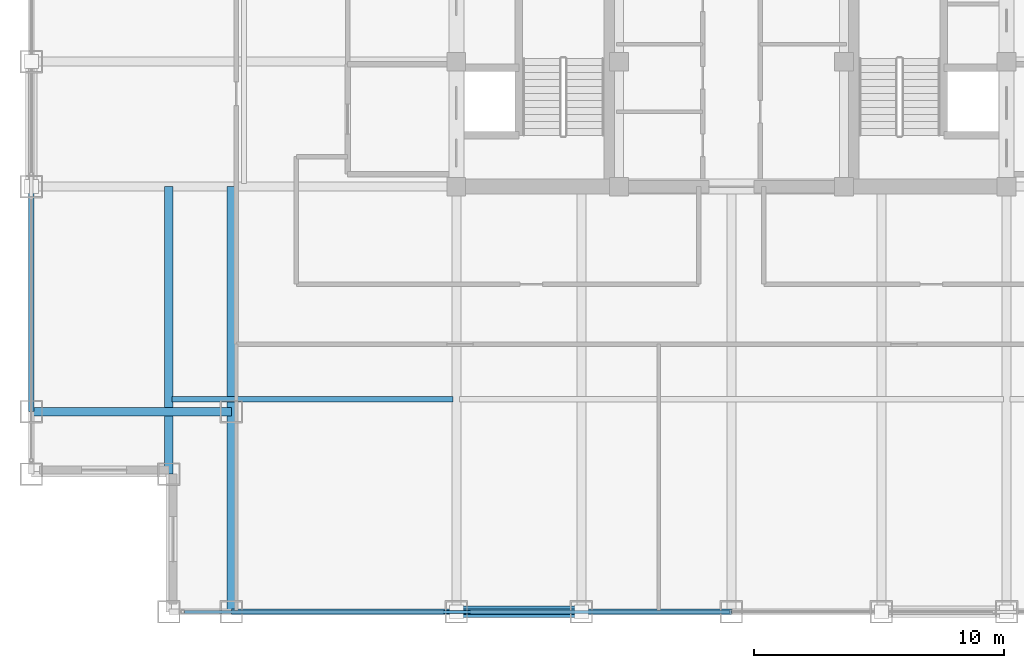
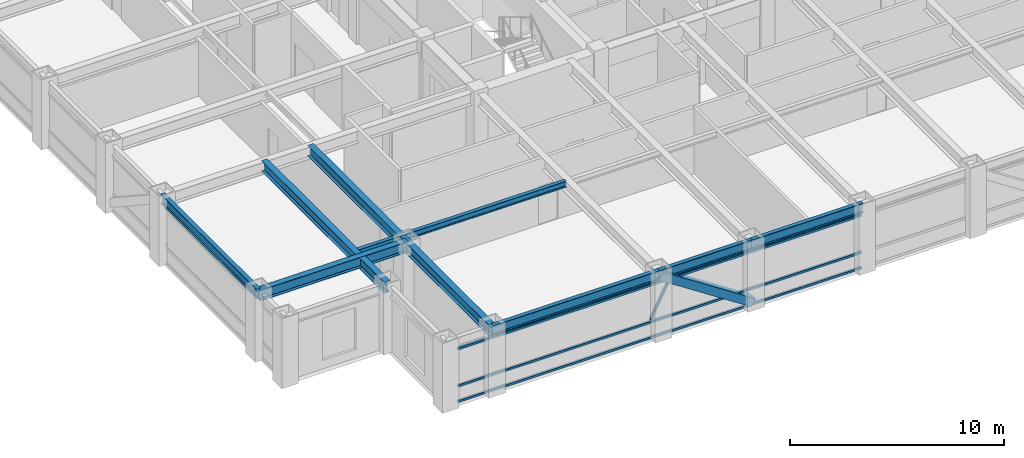
# One storey, part 3 of 22: 8 beams, 5 members, 1 element without a shape of its own.
"""IFC4 building model written with IfcOpenShell, lengths in metres."""

from ifc_helpers import new_model, si_unit, direction, frame, origin, origin_2d, place, context, subcontext, project, spatial, hollow_rectangle, i_section, extrude, source, transform, mapped, material, material_profile, profile_set, type_object, element, aggregate, save


model = new_model("IFC4")

# Units and contexts
model_context = context("Model", 3, precision=1e-05, world=origin(), true_north=direction((0.0, 1.0)))
body_context = subcontext(model_context, "Body", "Model", "MODEL_VIEW")
ifc_project = project(units=[si_unit("LENGTHUNIT", "METRE"), si_unit("AREAUNIT", "SQUARE_METRE"), si_unit("VOLUMEUNIT", "CUBIC_METRE"), si_unit("PLANEANGLEUNIT", "RADIAN"), si_unit("MASSUNIT", "GRAM", prefix="KILO")], contexts=[model_context])

# Site, building, storey
site_placement = place(None, origin())
site = spatial("IfcSite", under=ifc_project, at=site_placement, CompositionType="ELEMENT")
building_placement = place(site_placement, origin())
building = spatial("IfcBuilding", under=site, at=building_placement, Name="Khorayat Bourse Tower", CompositionType="ELEMENT")
storey_placement = place(building_placement, frame((0.0, 0.0, 305.5)))
storey = spatial("IfcBuildingStorey", under=building, at=storey_placement, Name="L72", CompositionType="ELEMENT", Elevation=305.5)

# Beam
ifc_material_1 = material(Name="Steel ASTM A992 Grade 50", Category="steel")
ifc_material_profile_1 = material_profile(ifc_material_1, i_section(OverallWidth=0.324951171875, OverallDepth=0.615966796875, WebThickness=0.013916015625, FlangeThickness=0.021484375, FilletRadius=0.01611328125, at=origin_2d()), Name="W610X174")
ifc_profile_set_1 = profile_set([ifc_material_profile_1], Name="Steel ASTM A992 Grade 50")
beam_type_1 = type_object("IfcBeamType", Name="BM-GIRD-610", PredefinedType="BEAM", material=ifc_profile_set_1)
shared_shape_1 = source(origin(), body_context, "Body", "SweptSolid", [
    extrude(i_section(OverallWidth=0.324951171875, OverallDepth=0.615966796875, WebThickness=0.013916015625, FlangeThickness=0.021484375, FilletRadius=0.01611328125, at=origin_2d()), origin(), (0.0, 0.0, 1.0), 17.0),
])
beam_1_placement = place(storey_placement, frame((-20.0, -28.0, 3.471923828125), z_axis=(0.0, 1.0, 0.0), x_axis=(-1.0, 0.0, 0.0)))
element("IfcBeam", 1, at=beam_1_placement, inside=storey, type_object=beam_type_1, Name="L72 BM-GIRD-610 BM-L72-CNRY-084", PredefinedType="BEAM", context=body_context, shape_type="MappedRepresentation", body=[
    mapped(shared_shape_1, transform((0.0, 0.0, 0.0), scale=1.0)),
])

# Member
ifc_material_2 = material(Name="Steel EN 10025-4 S460M", Category="steel")
ifc_material_profile_2 = material_profile(ifc_material_2, hollow_rectangle(XDim=0.449951171875, YDim=0.449951171875, WallThickness=0.02490234375, at=origin_2d()), Name="HSS 450x450x25")
ifc_profile_set_2 = profile_set([ifc_material_profile_2], Name="Steel EN 10025-4 S460M")
member_type_1 = type_object("IfcMemberType", Name="MBR-TUBE-450", PredefinedType="BRACE", material=ifc_profile_set_2)
shared_shape_2 = source(origin(), body_context, "Body", "SweptSolid", [
    extrude(hollow_rectangle(XDim=0.449951171875, YDim=0.449951171875, WallThickness=0.02490234375, at=origin_2d()), origin(), (0.0, 0.0, 1.0), 5.979736328125),
])
member_1_placement = place(storey_placement, frame((-11.0, -28.0, 3.530029296875), z_axis=(0.836141536525, 0.0, -0.548513747227), x_axis=(0.0, 1.0, 0.0)))
element("IfcMember", 2, at=member_1_placement, inside=storey, type_object=member_type_1, Name="L72 Perimeter Tube Brace 01", PredefinedType="BRACE", context=body_context, shape_type="MappedRepresentation", body=[
    mapped(shared_shape_2, transform((0.0, 0.0, 0.0), scale=1.0)),
])

# Beams
shared_shape_3 = source(origin(), body_context, "Body", "SweptSolid", [
    extrude(i_section(OverallWidth=0.324951171875, OverallDepth=0.615966796875, WebThickness=0.013916015625, FlangeThickness=0.021484375, FilletRadius=0.01611328125, at=origin_2d()), origin(), (0.0, 0.0, 1.0), 11.5),
])
beam_2_placement = place(storey_placement, frame((-22.5, -22.5, 3.471923828125), z_axis=(0.0, 1.0, 0.0), x_axis=(-1.0, 0.0, 0.0)))
element("IfcBeam", 3, at=beam_2_placement, inside=storey, type_object=beam_type_1, Name="L72 BM-GIRD-610 BM-L72-CNRY-088", PredefinedType="BEAM", context=body_context, shape_type="MappedRepresentation", body=[
    mapped(shared_shape_3, transform((0.0, 0.0, 0.0), scale=1.0)),
])
shared_shape_4 = source(origin(), body_context, "Body", "SweptSolid", [
    extrude(i_section(OverallWidth=0.324951171875, OverallDepth=0.615966796875, WebThickness=0.013916015625, FlangeThickness=0.021484375, FilletRadius=0.01611328125, at=origin_2d()), origin(), (0.0, 0.0, 1.0), 8.0),
])
beam_3_placement = place(storey_placement, frame((-28.0, -20.0, 3.471923828125), z_axis=(1.0, 0.0, 0.0), x_axis=(0.0, 1.0, 0.0)))
element("IfcBeam", 4, at=beam_3_placement, inside=storey, type_object=beam_type_1, Name="L72 BM-GIRD-610 BM-L72-CNRX-093", PredefinedType="BEAM", context=body_context, shape_type="MappedRepresentation", body=[
    mapped(shared_shape_4, transform((0.0, 0.0, 0.0), scale=1.0)),
])
ifc_material_profile_3 = material_profile(ifc_material_1, i_section(OverallWidth=0.202880859375, OverallDepth=0.346923828125, WebThickness=0.0078125, FlangeThickness=0.013427734375, FilletRadius=0.010009765625, at=origin_2d()), Name="W360X64")
ifc_profile_set_3 = profile_set([ifc_material_profile_3], Name="Steel ASTM A992 Grade 50")
beam_type_2 = type_object("IfcBeamType", Name="BM-JOIST-360", PredefinedType="JOIST", material=ifc_profile_set_3)
shared_shape_5 = source(origin(), body_context, "Body", "SweptSolid", [
    extrude(i_section(OverallWidth=0.202880859375, OverallDepth=0.346923828125, WebThickness=0.0078125, FlangeThickness=0.013427734375, FilletRadius=0.010009765625, at=origin_2d()), origin(), (0.0, 0.0, 1.0), 11.240234375),
])
beam_4_placement = place(storey_placement, frame((-22.3701171875, -19.5, 3.6064453125), z_axis=(1.0, 0.0, 0.0), x_axis=(0.0, 1.0, 0.0)))
element("IfcBeam", 5, at=beam_4_placement, inside=storey, type_object=beam_type_2, Name="L72 BM-JOIST-360 BM-L72-JSTX-096", PredefinedType="JOIST", context=body_context, shape_type="MappedRepresentation", body=[
    mapped(shared_shape_5, transform((0.0, 0.0, 0.0), scale=1.0)),
])
ifc_material_profile_4 = material_profile(ifc_material_1, i_section(OverallWidth=0.214111328125, OverallDepth=0.549072265625, WebThickness=0.0146484375, FlangeThickness=0.023681640625, FilletRadius=0.013916015625, at=origin_2d()), Name="W530X138")
ifc_profile_set_4 = profile_set([ifc_material_profile_4], Name="Steel ASTM A992 Grade 50")
beam_type_3 = type_object("IfcBeamType", Name="BM-SPAN-530", PredefinedType="SPANDREL", material=ifc_profile_set_4)
shared_shape_6 = source(origin(), body_context, "Body", "SweptSolid", [
    extrude(i_section(OverallWidth=0.214111328125, OverallDepth=0.549072265625, WebThickness=0.0146484375, FlangeThickness=0.023681640625, FilletRadius=0.013916015625, at=origin_2d()), origin(), (0.0, 0.0, 1.0), 9.0),
])
for number, where, z_axis, x_axis, name in (
    (6, (-20.0, -28.0, 3.505615234375), (1.0, 0.0, 0.0), (0.0, 1.0, 0.0), "L72 BM-SPAN-530 BM-L72-SPN-025"),
    (7, (-28.0, -20.0, 3.505615234375), (0.0, 1.0, 0.0), (-1.0, 0.0, 0.0), "L72 BM-SPAN-530 BM-L72-SPN-060"),
):
    element("IfcBeam", number, at=place(storey_placement, frame(where, z_axis=z_axis, x_axis=x_axis)), inside=storey, type_object=beam_type_3, Name=name, PredefinedType="SPANDREL", context=body_context, shape_type="MappedRepresentation", body=[
        mapped(shared_shape_6, transform((0.0, 0.0, 0.0), scale=1.0)),
    ])
shared_shape_7 = source(origin(), body_context, "Body", "SweptSolid", [
    extrude(i_section(OverallWidth=0.214111328125, OverallDepth=0.549072265625, WebThickness=0.0146484375, FlangeThickness=0.023681640625, FilletRadius=0.013916015625, at=origin_2d()), origin(), (0.0, 0.0, 1.0), 5.0),
])
beam_5_placement = place(storey_placement, frame((-11.0, -28.0, 3.505615234375), z_axis=(1.0, 0.0, 0.0), x_axis=(0.0, 1.0, 0.0)))
element("IfcBeam", 8, at=beam_5_placement, inside=storey, type_object=beam_type_3, Name="L72 BM-SPAN-530 BM-L72-SPN-026", PredefinedType="SPANDREL", context=body_context, shape_type="MappedRepresentation", body=[
    mapped(shared_shape_7, transform((0.0, 0.0, 0.0), scale=1.0)),
])
shared_shape_8 = source(origin(), body_context, "Body", "SweptSolid", [
    extrude(i_section(OverallWidth=0.214111328125, OverallDepth=0.549072265625, WebThickness=0.0146484375, FlangeThickness=0.023681640625, FilletRadius=0.013916015625, at=origin_2d()), origin(), (0.0, 0.0, 1.0), 6.0),
])
beam_6_placement = place(storey_placement, frame((-6.0, -28.0, 3.505615234375), z_axis=(1.0, 0.0, 0.0), x_axis=(0.0, 1.0, 0.0)))
element("IfcBeam", 9, at=beam_6_placement, inside=storey, type_object=beam_type_3, Name="L72 BM-SPAN-530 BM-L72-SPN-027", PredefinedType="SPANDREL", context=body_context, shape_type="MappedRepresentation", body=[
    mapped(shared_shape_8, transform((0.0, 0.0, 0.0), scale=1.0)),
])

# Curtain wall, members
ifc_material_3 = material(Name="Aluminium EN AW-6063 T6", Category="aluminium")
curtain_wall_type = type_object("IfcCurtainWallType", Name="CW-SYS-04", PredefinedType="NOTDEFINED", material=ifc_material_3)
curtain_wall_placement = place(storey_placement, origin())
curtain_wall = element("IfcCurtainWall", 10, at=curtain_wall_placement, inside=storey, type_object=curtain_wall_type, Name="L72 Curtain Wall CW-L72-S1", PredefinedType="NOTDEFINED")
ifc_material_profile_5 = material_profile(ifc_material_3, hollow_rectangle(XDim=0.1201171875, YDim=0.1201171875, WallThickness=0.0048828125, at=origin_2d()), Name="ALU 120x120x5")
ifc_profile_set_5 = profile_set([ifc_material_profile_5], Name="Aluminium EN AW-6063 T6")
member_type_2 = type_object("IfcMemberType", Name="CWM-DIAG-120", PredefinedType="MULLION", material=ifc_profile_set_5)
shared_shape_9 = source(origin(), body_context, "Body", "SweptSolid", [
    extrude(hollow_rectangle(XDim=0.1201171875, YDim=0.1201171875, WallThickness=0.0048828125, at=origin_2d()), origin(), (0.0, 0.0, 1.0), 2.0791015625),
])
member_2_placement = place(storey_placement, frame((-11.4541015625, -28.0, 1.090087890625), z_axis=(0.465717394116, 0.0, 0.884933505309), x_axis=(0.0, 1.0, 0.0)))
member_2 = element("IfcMember", 11, at=member_2_placement, type_object=member_type_2, Name="CW-L72-S1 Faceted Diagonal Mullion 1", PredefinedType="MULLION", context=body_context, shape_type="MappedRepresentation", body=[
    mapped(shared_shape_9, transform((0.0, 0.0, 0.0), scale=1.0)),
])
ifc_material_profile_6 = material_profile(ifc_material_3, hollow_rectangle(XDim=0.1201171875, YDim=0.1201171875, WallThickness=0.0048828125, at=origin_2d()), Name="ALU 120x120x5")
ifc_profile_set_6 = profile_set([ifc_material_profile_6], Name="Aluminium EN AW-6063 T6")
member_type_3 = type_object("IfcMemberType", Name="CWT-HORZ-120", PredefinedType="USERDEFINED", material=ifc_profile_set_6)
shared_shape_10 = source(origin(), body_context, "Body", "SweptSolid", [
    extrude(hollow_rectangle(XDim=0.1201171875, YDim=0.1201171875, WallThickness=0.0048828125, at=origin_2d()), origin(), (0.0, 0.0, 1.0), 21.81982421875),
])
member_3_placement = place(storey_placement, frame((-21.8798828125, -28.0, 0.06005859375), z_axis=(1.0, 0.0, 0.0), x_axis=(0.0, 1.0, 0.0)))
member_3 = element("IfcMember", 12, at=member_3_placement, type_object=member_type_3, Name="CW-L72-S1 Horizontal Transom 1-1", ObjectType="TRANSOM", PredefinedType="USERDEFINED", context=body_context, shape_type="MappedRepresentation", body=[
    mapped(shared_shape_10, transform((0.0, 0.0, 0.0), scale=1.0)),
])
member_4_placement = place(storey_placement, frame((-21.8798828125, -28.0, 0.949951171875), z_axis=(1.0, 0.0, 0.0), x_axis=(0.0, 1.0, 0.0)))
member_4 = element("IfcMember", 13, at=member_4_placement, type_object=member_type_3, Name="CW-L72-S1 Horizontal Transom 1-2", ObjectType="TRANSOM", PredefinedType="USERDEFINED", context=body_context, shape_type="MappedRepresentation", body=[
    mapped(shared_shape_10, transform((0.0, 0.0, 0.0), scale=1.0)),
])
member_5_placement = place(storey_placement, frame((-21.8798828125, -28.0, 3.070068359375), z_axis=(1.0, 0.0, 0.0), x_axis=(0.0, 1.0, 0.0)))
member_5 = element("IfcMember", 14, at=member_5_placement, type_object=member_type_3, Name="CW-L72-S1 Horizontal Transom 1-3", ObjectType="TRANSOM", PredefinedType="USERDEFINED", context=body_context, shape_type="MappedRepresentation", body=[
    mapped(shared_shape_10, transform((0.0, 0.0, 0.0), scale=1.0)),
])
aggregate(curtain_wall, [member_3, member_4, member_5, member_2])

save(model, "model.ifc")
